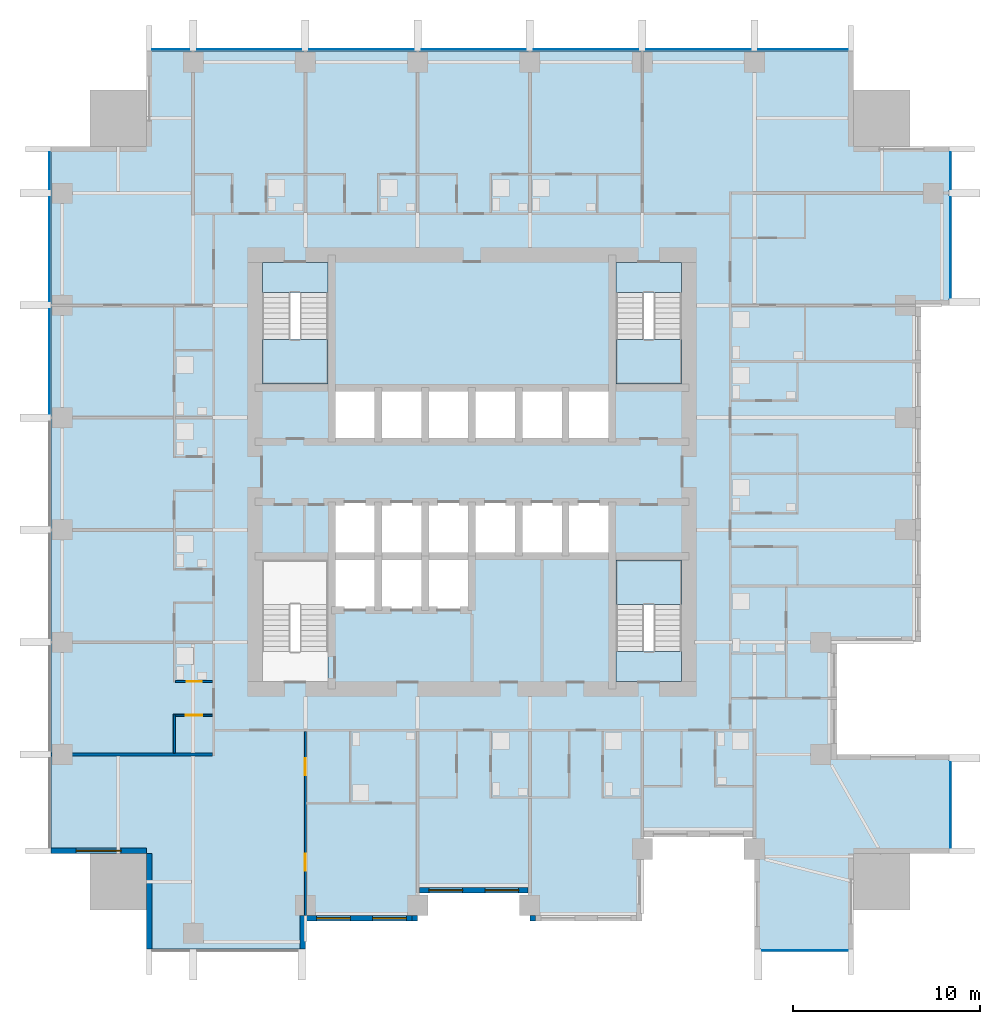
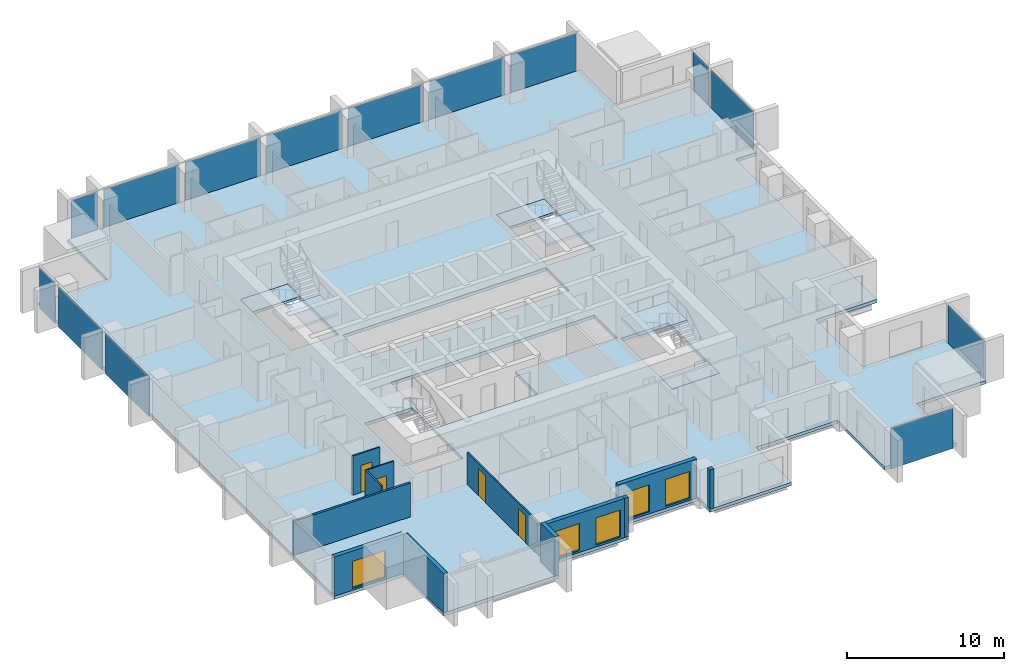
# One storey, part 3 of 11: 14 plates, 12 walls, 7 slabs, 5 windows, 4 doors, 9 openings, 8 elements without a shape of their own.
"""IFC4 building model written with IfcOpenShell, lengths in metres."""

import ifcopenshell
import ifcopenshell.guid

model = None  # the IFC model being written
_history = None  # IfcOwnerHistory: only IFC2X3 demands one
_inside = {}  # id of a spatial element -> (the spatial element, [elements in it])
_under = {}  # id of a project, library or spatial element -> (it, [spatial elements below it])
_declared = {}  # id of a project -> (the project, [libraries it declares])
_typed = {}  # id of a type object -> (the type object, [elements of that type])
_made_of = {}  # id of a material, layer set ... -> (it, [elements and type objects made of it])


def new_model(schema):
    """Start an empty IFC model of exactly this schema.

    Asked for "IFC4X3", IfcOpenShell would pick the latest addendum, in which some entities
    have other attributes; the version numbers below select the first issue.
    IFC2X3 requires an IfcOwnerHistory on every rooted entity: one is made here for all.
    """
    global model, _history
    if schema == "IFC4X3":
        model = ifcopenshell.file(schema_version=(4, 3, 0, 0))
    else:
        model = ifcopenshell.file(schema=schema)
    _inside.clear()
    _under.clear()
    _declared.clear()
    _typed.clear()
    _made_of.clear()
    _history = None
    if model.schema == "IFC2X3":
        org = make("IfcOrganization", Name="unknown")
        user = make(
            "IfcPersonAndOrganization",
            ThePerson=make("IfcPerson", FamilyName="unknown"),
            TheOrganization=org,
        )
        app = make(
            "IfcApplication",
            ApplicationDeveloper=org,
            Version="unknown",
            ApplicationFullName="unknown",
            ApplicationIdentifier="unknown",
        )
        _history = make(
            "IfcOwnerHistory",
            OwningUser=user,
            OwningApplication=app,
            ChangeAction="ADDED",
            CreationDate=0,
        )
    return model


def make(cls, **values):
    """One entity of the class cls with the attributes given. An attribute that is None is left unset."""
    return model.create_entity(
        cls, **{name: value for name, value in values.items() if value is not None}
    )


def rooted(cls, **values):
    """An entity with a GlobalId (a new one), such as an element, a storey or a relation."""
    return make(cls, GlobalId=ifcopenshell.guid.new(), OwnerHistory=_history, **values)


def si_unit(unit_type, name, prefix=None):
    """IfcSIUnit, for example si_unit("LENGTHUNIT", "METRE", prefix="MILLI")."""
    return make("IfcSIUnit", UnitType=unit_type, Prefix=prefix, Name=name)


def assignment(units):
    """IfcUnitAssignment: the units of a project."""
    return None if units is None else make("IfcUnitAssignment", Units=units)


def point(xyz):
    """IfcCartesianPoint."""
    return None if xyz is None else make("IfcCartesianPoint", Coordinates=xyz)


def direction(xyz):
    """IfcDirection."""
    return None if xyz is None else make("IfcDirection", DirectionRatios=xyz)


def frame(location, z_axis=None, x_axis=None):
    """IfcAxis2Placement3D, a coordinate frame: its origin and axes. An axis left out is left unset."""
    return make(
        "IfcAxis2Placement3D",
        Location=point(location),
        Axis=direction(z_axis),
        RefDirection=direction(x_axis),
    )


def frame_2d(location, x_axis=None):
    """IfcAxis2Placement2D, a coordinate frame in the plane: its origin and x axis."""
    return make(
        "IfcAxis2Placement2D", Location=point(location), RefDirection=direction(x_axis)
    )


def origin():
    """The frame at (0, 0, 0) with its axes left unset."""
    return frame((0.0, 0.0, 0.0))


def origin_2d():
    """The frame at (0, 0) in the plane with its x axis left unset."""
    return frame_2d((0.0, 0.0))


def place(relative_to, where):
    """IfcLocalPlacement: puts the frame where relative to a parent placement (None: the world)."""
    return make(
        "IfcLocalPlacement", PlacementRelTo=relative_to, RelativePlacement=where
    )


def context(
    kind, dimensions, precision=None, world=None, true_north=None, identifier=None
):
    """IfcGeometricRepresentationContext, for example the 3D "Model" context."""
    return make(
        "IfcGeometricRepresentationContext",
        ContextIdentifier=identifier,
        ContextType=kind,
        CoordinateSpaceDimension=dimensions,
        Precision=precision,
        WorldCoordinateSystem=world,
        TrueNorth=true_north,
    )


def subcontext(parent, identifier, kind, view, scale=None):
    """IfcGeometricRepresentationSubContext, for example "Body" below "Model"."""
    return make(
        "IfcGeometricRepresentationSubContext",
        ContextIdentifier=identifier,
        ContextType=kind,
        ParentContext=parent,
        TargetScale=scale,
        TargetView=view,
    )


def project(units=None, contexts=None):
    """IfcProject with its units and contexts."""
    return rooted(
        "IfcProject",
        Name="project",
        RepresentationContexts=contexts,
        UnitsInContext=assignment(units),
    )


def spatial(cls, under=None, at=None, **own):
    """A site, building, storey or space (cls), placed at a placement, below another one or the project."""
    s = rooted(cls, ObjectPlacement=at, **own)
    if under is not None:
        _under.setdefault(under.id(), (under, []))[1].append(s)
    return s


def polyline(points):
    """IfcPolyline through the points."""
    return make("IfcPolyline", Points=[point(p) for p in points])


def profile(cls, at=None, kind="AREA", **sizes):
    """A parametric profile (cls). Its sizes go by their IFC names, for example OverallWidth=200.0."""
    return make(cls, ProfileType=kind, Position=at, **sizes)


def rectangle(**sizes):
    """IfcRectangleProfileDef."""
    return profile("IfcRectangleProfileDef", **sizes)


def outline(outer, holes=None, kind="AREA"):
    """IfcArbitraryClosedProfileDef: a profile drawn as a closed curve; with holes, ...WithVoids."""
    if holes is None:
        return make("IfcArbitraryClosedProfileDef", ProfileType=kind, OuterCurve=outer)
    return make(
        "IfcArbitraryProfileDefWithVoids",
        ProfileType=kind,
        OuterCurve=outer,
        InnerCurves=holes,
    )


def extrude(swept, where, along, depth):
    """IfcExtrudedAreaSolid: the profile swept, set in the frame where, extruded along a direction by depth."""
    return make(
        "IfcExtrudedAreaSolid",
        SweptArea=swept,
        Position=where,
        ExtrudedDirection=direction(along),
        Depth=depth,
    )


def shape(context_of_items, identifier, shape_type, items):
    """IfcShapeRepresentation: the items that make up one representation, for example the "Body"."""
    return make(
        "IfcShapeRepresentation",
        ContextOfItems=context_of_items,
        RepresentationIdentifier=identifier,
        RepresentationType=shape_type,
        Items=items,
    )


def material(Name=None, Category=None):
    """IfcMaterial."""
    return make("IfcMaterial", Name=Name, Category=Category)


def layer(
    of_material, thickness, ventilated=None, Name=None, Category=None, Priority=None
):
    """IfcMaterialLayer: one layer of a wall or slab, of a material (None: an air gap)."""
    return make(
        "IfcMaterialLayer",
        Material=of_material,
        LayerThickness=thickness,
        IsVentilated=ventilated,
        Name=Name,
        Category=Category,
        Priority=Priority,
    )


def layer_set(layers, Name=None):
    """IfcMaterialLayerSet."""
    return make("IfcMaterialLayerSet", MaterialLayers=layers, LayerSetName=Name)


def made_of(thing, what):
    """Note that an element or type object is made of a material, layer set ...; save() writes the relation."""
    if what is not None:
        _made_of.setdefault(what.id(), (what, []))[1].append(thing)
    return thing


def type_object(cls, material=None, **own):
    """A type object (cls), such as IfcWallType, which elements share."""
    return made_of(rooted(cls, **own), material)


def element(
    cls,
    number,
    at=None,
    inside=None,
    cuts=None,
    type_object=None,
    material=None,
    context=None,
    identifier="Body",
    shape_type=None,
    held_by="IfcProductDefinitionShape",
    body=None,
    shapes=None,
    **own,
):
    """One element of the class cls, such as IfcWall. Its Tag is "e" and its number.

    at: its placement. inside: the storey or other place that contains it. cuts: it is an
    opening in that element (IfcRelVoidsElement). A single representation is given by context,
    identifier, shape_type and body (its items); several are given by shapes. held_by: the class
    of the entity that holds the representations. save() writes the other relations.
    """
    e = rooted(cls, Tag="e%d" % number, ObjectPlacement=at, **own)
    if body is not None:
        shapes = [shape(context, identifier, shape_type, body)]
    if shapes is not None:
        e.Representation = make(held_by, Representations=shapes)
    if inside is not None:
        _inside.setdefault(inside.id(), (inside, []))[1].append(e)
    if cuts is not None:
        rooted(
            "IfcRelVoidsElement", RelatingBuildingElement=cuts, RelatedOpeningElement=e
        )
    if type_object is not None:
        _typed.setdefault(type_object.id(), (type_object, []))[1].append(e)
    return made_of(e, material)


def fill(opening, filler):
    """IfcRelFillsElement: the door or window that sits in an opening."""
    return rooted(
        "IfcRelFillsElement",
        RelatingOpeningElement=opening,
        RelatedBuildingElement=filler,
    )


def aggregate(whole, parts):
    """IfcRelAggregates: a whole, such as a stair, and the parts it consists of."""
    return rooted("IfcRelAggregates", RelatingObject=whole, RelatedObjects=parts)


def save(model, path):
    """Write the relations noted so far, then the file.

    IfcRelAggregates (storeys below a building ...), IfcRelContainedInSpatialStructure (elements
    in a storey), IfcRelDefinesByType, IfcRelAssociatesMaterial and IfcRelDeclares: one each for
    every whole, place, type object, material and project.
    """
    for whole, parts in _under.values():
        aggregate(whole, parts)
    for where, things in _inside.values():
        rooted(
            "IfcRelContainedInSpatialStructure",
            RelatedElements=things,
            RelatingStructure=where,
        )
    for kind, things in _typed.values():
        rooted("IfcRelDefinesByType", RelatedObjects=things, RelatingType=kind)
    for what, things in _made_of.values():
        rooted("IfcRelAssociatesMaterial", RelatedObjects=things, RelatingMaterial=what)
    for by, libraries in _declared.values():
        rooted("IfcRelDeclares", RelatingContext=by, RelatedDefinitions=libraries)
    model.write(path)


model = new_model("IFC4")

# Units and contexts
model_context = context("Model", 3, precision=1e-05, world=origin(), true_north=direction((0.0, 1.0)))
body_context = subcontext(model_context, "Body", "Model", "MODEL_VIEW")
ifc_project = project(units=[si_unit("LENGTHUNIT", "METRE"), si_unit("AREAUNIT", "SQUARE_METRE"), si_unit("VOLUMEUNIT", "CUBIC_METRE"), si_unit("PLANEANGLEUNIT", "RADIAN"), si_unit("MASSUNIT", "GRAM", prefix="KILO")], contexts=[model_context])

# Site, building, storey
site_placement = place(None, origin())
site = spatial("IfcSite", under=ifc_project, at=site_placement, CompositionType="ELEMENT")
building_placement = place(site_placement, origin())
building = spatial("IfcBuilding", under=site, at=building_placement, Name="Amberfall Residences", CompositionType="ELEMENT")
storey_placement = place(building_placement, frame((0.0, 0.0, 91.89990234375)))
storey = spatial("IfcBuildingStorey", under=building, at=storey_placement, Name="L24", CompositionType="ELEMENT", Elevation=91.89990234375)

# Curtain wall, plate
ifc_material_1 = material(Name="Bronze anodised aluminium and glass", Category="aluminium")
curtain_wall_type = type_object("IfcCurtainWallType", Name="Curtain wall CW1 tower unit", PredefinedType="USERDEFINED", material=ifc_material_1)
curtain_wall_1_placement = place(storey_placement, origin())
curtain_wall_1 = element("IfcCurtainWall", 1, at=curtain_wall_1_placement, inside=storey, type_object=curtain_wall_type, Name="Curtain wall L24 S S11", ObjectType="UNITISED CURTAIN WALL", PredefinedType="USERDEFINED")
ifc_material_2 = material(Name="Tinted double glazed unit", Category="glass")
ifc_layer_1 = layer(ifc_material_2, 0.035888671875)
ifc_layer_set_1 = layer_set([ifc_layer_1], Name="CW1 panel 36 glazing")
plate_type = type_object("IfcPlateType", Name="CW1 panel 36 glazing", PredefinedType="CURTAIN_PANEL", material=ifc_layer_set_1)
plate_1_placement = place(storey_placement, frame((92.300048828125, 19.925048828125, -0.249755859375), z_axis=(0.0, 0.0, 1.0), x_axis=(1.0, 0.0, 0.0)))
plate_1 = element("IfcPlate", 2, at=plate_1_placement, type_object=plate_type, Name="CW1 panel 1.1", PredefinedType="CURTAIN_PANEL", context=body_context, shape_type="SweptSolid", body=[
    extrude(rectangle(XDim=4.575927734375, YDim=0.035888671875, at=origin_2d()), origin(), (0.0, 0.0, 1.0), 3.14990234375),
])
aggregate(curtain_wall_1, [plate_1])

curtain_wall_2_placement = place(storey_placement, origin())
curtain_wall_2 = element("IfcCurtainWall", 3, at=curtain_wall_2_placement, inside=storey, type_object=curtain_wall_type, Name="Curtain wall L24 E E1", ObjectType="UNITISED CURTAIN WALL", PredefinedType="USERDEFINED")
plate_2_placement = place(storey_placement, frame((100.074951171875, 27.699951171875, -0.249755859375), z_axis=(0.0, 0.0, 1.0), x_axis=(0.0, 1.0, 0.0)))
plate_2 = element("IfcPlate", 4, at=plate_2_placement, type_object=plate_type, Name="CW1 panel 1.1", PredefinedType="CURTAIN_PANEL", context=body_context, shape_type="SweptSolid", body=[
    extrude(rectangle(XDim=4.575927734375, YDim=0.035888671875, at=origin_2d()), origin(), (0.0, 0.0, 1.0), 3.14990234375),
])
aggregate(curtain_wall_2, [plate_2])

# Curtain wall, plates
curtain_wall_3_placement = place(storey_placement, origin())
curtain_wall_3 = element("IfcCurtainWall", 5, at=curtain_wall_3_placement, inside=storey, type_object=curtain_wall_type, Name="Curtain wall L24 E E9", ObjectType="UNITISED CURTAIN WALL", PredefinedType="USERDEFINED")
plate_3_placement = place(storey_placement, frame((100.074951171875, 57.5, -0.249755859375), z_axis=(0.0, 0.0, 1.0), x_axis=(0.0, 1.0, 0.0)))
plate_3 = element("IfcPlate", 6, at=plate_3_placement, type_object=plate_type, Name="CW1 panel 1.1", PredefinedType="CURTAIN_PANEL", context=body_context, shape_type="SweptSolid", body=[
    extrude(rectangle(XDim=5.3759765625, YDim=0.035888671875, at=origin_2d()), origin(), (0.0, 0.0, 1.0), 3.14990234375),
])
plate_4_placement = place(storey_placement, frame((100.074951171875, 61.60009765625, -0.249755859375), z_axis=(0.0, 0.0, 1.0), x_axis=(0.0, 1.0, 0.0)))
plate_4 = element("IfcPlate", 7, at=plate_4_placement, type_object=plate_type, Name="CW1 panel 2.1", PredefinedType="CURTAIN_PANEL", context=body_context, shape_type="SweptSolid", body=[
    extrude(rectangle(XDim=1.97607421875, YDim=0.035888671875, at=origin_2d()), origin(), (0.0, 0.0, 1.0), 3.14990234375),
])
aggregate(curtain_wall_3, [plate_3, plate_4])

curtain_wall_4_placement = place(storey_placement, origin())
curtain_wall_4 = element("IfcCurtainWall", 8, at=curtain_wall_4_placement, inside=storey, type_object=curtain_wall_type, Name="Curtain wall L24 N N1", ObjectType="UNITISED CURTAIN WALL", PredefinedType="USERDEFINED")
plate_5_placement = place(storey_placement, frame((92.199951171875, 68.074951171875, -0.249755859375), z_axis=(0.0, 0.0, 1.0), x_axis=(-1.0, 0.0, 0.0)))
plate_5 = element("IfcPlate", 9, at=plate_5_placement, type_object=plate_type, Name="CW1 panel 1.1", PredefinedType="CURTAIN_PANEL", context=body_context, shape_type="SweptSolid", body=[
    extrude(rectangle(XDim=4.77587890625, YDim=0.035888671875, at=origin_2d()), origin(), (0.0, 0.0, 1.0), 3.14990234375),
])
plate_6_placement = place(storey_placement, frame((86.60009765625, 68.074951171875, -0.249755859375), z_axis=(0.0, 0.0, 1.0), x_axis=(-1.0, 0.0, 0.0)))
plate_6 = element("IfcPlate", 10, at=plate_6_placement, type_object=plate_type, Name="CW1 panel 2.1", PredefinedType="CURTAIN_PANEL", context=body_context, shape_type="SweptSolid", body=[
    extrude(rectangle(XDim=5.575927734375, YDim=0.035888671875, at=origin_2d()), origin(), (0.0, 0.0, 1.0), 3.14990234375),
])
plate_7_placement = place(storey_placement, frame((80.60009765625, 68.074951171875, -0.249755859375), z_axis=(0.0, 0.0, 1.0), x_axis=(-1.0, 0.0, 0.0)))
plate_7 = element("IfcPlate", 11, at=plate_7_placement, type_object=plate_type, Name="CW1 panel 3.1", PredefinedType="CURTAIN_PANEL", context=body_context, shape_type="SweptSolid", body=[
    extrude(rectangle(XDim=5.575927734375, YDim=0.035888671875, at=origin_2d()), origin(), (0.0, 0.0, 1.0), 3.14990234375),
])
plate_8_placement = place(storey_placement, frame((74.60009765625, 68.074951171875, -0.249755859375), z_axis=(0.0, 0.0, 1.0), x_axis=(-1.0, 0.0, 0.0)))
plate_8 = element("IfcPlate", 12, at=plate_8_placement, type_object=plate_type, Name="CW1 panel 4.1", PredefinedType="CURTAIN_PANEL", context=body_context, shape_type="SweptSolid", body=[
    extrude(rectangle(XDim=5.575927734375, YDim=0.035888671875, at=origin_2d()), origin(), (0.0, 0.0, 1.0), 3.14990234375),
])
plate_9_placement = place(storey_placement, frame((68.60009765625, 68.074951171875, -0.249755859375), z_axis=(0.0, 0.0, 1.0), x_axis=(-1.0, 0.0, 0.0)))
plate_9 = element("IfcPlate", 13, at=plate_9_placement, type_object=plate_type, Name="CW1 panel 5.1", PredefinedType="CURTAIN_PANEL", context=body_context, shape_type="SweptSolid", body=[
    extrude(rectangle(XDim=5.575927734375, YDim=0.035888671875, at=origin_2d()), origin(), (0.0, 0.0, 1.0), 3.14990234375),
])
plate_10_placement = place(storey_placement, frame((62.60009765625, 68.074951171875, -0.249755859375), z_axis=(0.0, 0.0, 1.0), x_axis=(-1.0, 0.0, 0.0)))
plate_10 = element("IfcPlate", 14, at=plate_10_placement, type_object=plate_type, Name="CW1 panel 6.1", PredefinedType="CURTAIN_PANEL", context=body_context, shape_type="SweptSolid", body=[
    extrude(rectangle(XDim=5.575927734375, YDim=0.035888671875, at=origin_2d()), origin(), (0.0, 0.0, 1.0), 3.14990234375),
])
plate_11_placement = place(storey_placement, frame((58.39990234375, 68.074951171875, -0.249755859375), z_axis=(0.0, 0.0, 1.0), x_axis=(-1.0, 0.0, 0.0)))
plate_11 = element("IfcPlate", 15, at=plate_11_placement, type_object=plate_type, Name="CW1 panel 7.1", PredefinedType="CURTAIN_PANEL", context=body_context, shape_type="SweptSolid", body=[
    extrude(rectangle(XDim=1.97607421875, YDim=0.035888671875, at=origin_2d()), origin(), (0.0, 0.0, 1.0), 3.14990234375),
])
aggregate(curtain_wall_4, [plate_5, plate_6, plate_7, plate_8, plate_9, plate_10, plate_11])

curtain_wall_5_placement = place(storey_placement, origin())
curtain_wall_5 = element("IfcCurtainWall", 16, at=curtain_wall_5_placement, inside=storey, type_object=curtain_wall_type, Name="Curtain wall L24 W W1", ObjectType="UNITISED CURTAIN WALL", PredefinedType="USERDEFINED")
plate_12_placement = place(storey_placement, frame((51.925048828125, 61.60009765625, -0.249755859375), z_axis=(0.0, 0.0, 1.0), x_axis=(0.0, -1.0, 0.0)))
plate_12 = element("IfcPlate", 17, at=plate_12_placement, type_object=plate_type, Name="CW1 panel 1.1", PredefinedType="CURTAIN_PANEL", context=body_context, shape_type="SweptSolid", body=[
    extrude(rectangle(XDim=1.97607421875, YDim=0.035888671875, at=origin_2d()), origin(), (0.0, 0.0, 1.0), 3.14990234375),
])
plate_13_placement = place(storey_placement, frame((51.925048828125, 57.39990234375, -0.249755859375), z_axis=(0.0, 0.0, 1.0), x_axis=(0.0, -1.0, 0.0)))
plate_13 = element("IfcPlate", 18, at=plate_13_placement, type_object=plate_type, Name="CW1 panel 2.1", PredefinedType="CURTAIN_PANEL", context=body_context, shape_type="SweptSolid", body=[
    extrude(rectangle(XDim=5.575927734375, YDim=0.035888671875, at=origin_2d()), origin(), (0.0, 0.0, 1.0), 3.14990234375),
])
plate_14_placement = place(storey_placement, frame((51.925048828125, 51.39990234375, -0.249755859375), z_axis=(0.0, 0.0, 1.0), x_axis=(0.0, -1.0, 0.0)))
plate_14 = element("IfcPlate", 19, at=plate_14_placement, type_object=plate_type, Name="CW1 panel 3.1", PredefinedType="CURTAIN_PANEL", context=body_context, shape_type="SweptSolid", body=[
    extrude(rectangle(XDim=5.575927734375, YDim=0.035888671875, at=origin_2d()), origin(), (0.0, 0.0, 1.0), 3.14990234375),
])
aggregate(curtain_wall_5, [plate_12, plate_13, plate_14])

# Slab
ifc_material_3 = material(Name="Concrete C70", Category="concrete")
ifc_layer_2 = layer(ifc_material_3, 0.25)
ifc_layer_set_2 = layer_set([ifc_layer_2], Name="Floor slab 250 C70")
slab_type_1 = type_object("IfcSlabType", Name="Floor slab 250 C70", PredefinedType="FLOOR", material=ifc_layer_set_2)
slab_1_placement = place(storey_placement, frame((0.0, 0.0, -0.25)))
element("IfcSlab", 20, at=slab_1_placement, inside=storey, type_object=slab_type_1, Name="Floor slab S7 L24", PredefinedType="FLOOR", context=body_context, shape_type="SweptSolid", body=[
    extrude(outline(polyline([(89.60009765625, 20.0), (89.60009765625, 26.0), (83.60009765625, 26.0), (83.60009765625, 21.5), (77.60009765625, 21.5), (77.60009765625, 23.0), (71.60009765625, 23.0), (71.60009765625, 21.5), (65.60009765625, 21.5), (65.60009765625, 20.0), (57.10009765625, 20.0), (57.10009765625, 25.10009765625), (52.0, 25.10009765625), (52.0, 62.89990234375), (57.10009765625, 62.89990234375), (57.10009765625, 68.0), (94.89990234375, 68.0), (94.89990234375, 62.89990234375), (100.0, 62.89990234375), (100.0, 54.39990234375), (98.5, 54.39990234375), (98.5, 48.39990234375), (98.5, 42.39990234375), (98.5, 36.39990234375), (94.0, 36.39990234375), (94.0, 30.39990234375), (100.0, 30.39990234375), (100.0, 25.10009765625), (94.89990234375, 25.10009765625), (94.89990234375, 20.0), (89.60009765625, 20.0)]), holes=[polyline([(85.699951171875, 34.300048828125), (85.699951171875, 40.800048828125), (82.199951171875, 40.800048828125), (82.199951171875, 34.300048828125), (85.699951171875, 34.300048828125)]), polyline([(82.199951171875, 50.199951171875), (85.699951171875, 50.199951171875), (85.699951171875, 56.699951171875), (82.199951171875, 56.699951171875), (82.199951171875, 50.199951171875)]), polyline([(69.5, 50.0), (67.0, 50.0), (67.0, 47.10009765625), (69.5, 47.10009765625), (72.0, 47.10009765625), (74.5, 47.10009765625), (77.0, 47.10009765625), (79.5, 47.10009765625), (82.0, 47.10009765625), (82.0, 50.0), (79.5, 50.0), (77.0, 50.0), (74.5, 50.0), (72.0, 50.0), (69.5, 50.0)]), polyline([(74.5, 41.0), (77.0, 41.0), (79.5, 41.0), (82.0, 41.0), (82.0, 43.89990234375), (79.5, 43.89990234375), (77.0, 43.89990234375), (74.5, 43.89990234375), (72.0, 43.89990234375), (69.5, 43.89990234375), (67.0, 43.89990234375), (67.0, 41.0), (67.0, 38.10009765625), (69.5, 38.10009765625), (72.0, 38.10009765625), (74.5, 38.10009765625), (74.5, 41.0)]), polyline([(66.800048828125, 34.300048828125), (66.800048828125, 40.800048828125), (63.300048828125, 40.800048828125), (63.300048828125, 34.300048828125), (66.800048828125, 34.300048828125)]), polyline([(66.800048828125, 50.199951171875), (66.800048828125, 56.699951171875), (63.300048828125, 56.699951171875), (63.300048828125, 50.199951171875), (66.800048828125, 50.199951171875)])]), origin(), (0.0, 0.0, 1.0), 0.25),
])

# Stair, slabs
ifc_material_4 = material(Name="Concrete C40", Category="concrete")
stair_type = type_object("IfcStairType", Name="Exit stair 20 risers 165.0 mm", PredefinedType="HALF_TURN_STAIR", material=ifc_material_4)
stair_1_placement = place(storey_placement, origin())
stair_1 = element("IfcStair", 21, at=stair_1_placement, inside=storey, type_object=stair_type, Name="L24 Exit stair 2", PredefinedType="HALF_TURN_STAIR")
ifc_layer_3 = layer(ifc_material_4, 0.199951171875)
ifc_layer_set_3 = layer_set([ifc_layer_3], Name="Stair landing 200")
slab_type_2 = type_object("IfcSlabType", Name="Stair landing 200", PredefinedType="LANDING", material=ifc_layer_set_3)
slab_2_placement = place(storey_placement, frame((0.0, 0.0, 1.4501953125)))
slab_2 = element("IfcSlab", 22, at=slab_2_placement, type_object=slab_type_2, Name="ST3 landing 1", PredefinedType="LANDING", context=body_context, shape_type="SweptSolid", body=[
    extrude(outline(polyline([(85.699951171875, 38.419921875), (85.699951171875, 40.800048828125), (82.199951171875, 40.800048828125), (82.199951171875, 38.419921875), (85.699951171875, 38.419921875)])), origin(), (0.0, 0.0, 1.0), 0.199951171875),
])
slab_3_placement = place(storey_placement, frame((0.0, 0.0, -0.199951171875)))
slab_3 = element("IfcSlab", 23, at=slab_3_placement, type_object=slab_type_2, Name="ST3 landing 2", PredefinedType="LANDING", context=body_context, shape_type="SweptSolid", body=[
    extrude(outline(polyline([(85.699951171875, 34.300048828125), (85.699951171875, 35.89990234375), (82.199951171875, 35.89990234375), (82.199951171875, 34.300048828125), (85.699951171875, 34.300048828125)])), origin(), (0.0, 0.0, 1.0), 0.199951171875),
])
aggregate(stair_1, [slab_2, slab_3])

stair_2_placement = place(storey_placement, origin())
stair_2 = element("IfcStair", 24, at=stair_2_placement, inside=storey, type_object=stair_type, Name="L24 Exit stair 3", PredefinedType="HALF_TURN_STAIR")
slab_4_placement = place(storey_placement, frame((0.0, 0.0, 1.4501953125)))
slab_4 = element("IfcSlab", 25, at=slab_4_placement, type_object=slab_type_2, Name="ST3 landing 1", PredefinedType="LANDING", context=body_context, shape_type="SweptSolid", body=[
    extrude(outline(polyline([(82.199951171875, 52.580078125), (82.199951171875, 50.199951171875), (85.699951171875, 50.199951171875), (85.699951171875, 52.580078125), (82.199951171875, 52.580078125)])), origin(), (0.0, 0.0, 1.0), 0.199951171875),
])
slab_5_placement = place(storey_placement, frame((0.0, 0.0, -0.199951171875)))
slab_5 = element("IfcSlab", 26, at=slab_5_placement, type_object=slab_type_2, Name="ST3 landing 2", PredefinedType="LANDING", context=body_context, shape_type="SweptSolid", body=[
    extrude(outline(polyline([(82.199951171875, 56.699951171875), (82.199951171875, 55.10009765625), (85.699951171875, 55.10009765625), (85.699951171875, 56.699951171875), (82.199951171875, 56.699951171875)])), origin(), (0.0, 0.0, 1.0), 0.199951171875),
])
aggregate(stair_2, [slab_4, slab_5])

stair_3_placement = place(storey_placement, origin())
stair_3 = element("IfcStair", 27, at=stair_3_placement, inside=storey, type_object=stair_type, Name="L24 Exit stair 4", PredefinedType="HALF_TURN_STAIR")
slab_6_placement = place(storey_placement, frame((0.0, 0.0, 1.4501953125)))
slab_6 = element("IfcSlab", 28, at=slab_6_placement, type_object=slab_type_2, Name="ST3 landing 1", PredefinedType="LANDING", context=body_context, shape_type="SweptSolid", body=[
    extrude(outline(polyline([(63.300048828125, 52.580078125), (63.300048828125, 50.199951171875), (66.800048828125, 50.199951171875), (66.800048828125, 52.580078125), (63.300048828125, 52.580078125)])), origin(), (0.0, 0.0, 1.0), 0.199951171875),
])
slab_7_placement = place(storey_placement, frame((0.0, 0.0, -0.199951171875)))
slab_7 = element("IfcSlab", 29, at=slab_7_placement, type_object=slab_type_2, Name="ST3 landing 2", PredefinedType="LANDING", context=body_context, shape_type="SweptSolid", body=[
    extrude(outline(polyline([(63.300048828125, 56.699951171875), (63.300048828125, 55.10009765625), (66.800048828125, 55.10009765625), (66.800048828125, 56.699951171875), (63.300048828125, 56.699951171875)])), origin(), (0.0, 0.0, 1.0), 0.199951171875),
])
aggregate(stair_3, [slab_6, slab_7])

# Walls
ifc_material_5 = material(Name="Pale stone cladding on insulated backing", Category="masonry")
ifc_layer_4 = layer(ifc_material_5, 0.300048828125)
ifc_layer_set_4 = layer_set([ifc_layer_4], Name="Bronze clad wall 300")
wall_type_1 = type_object("IfcWallType", Name="Bronze clad wall 300", PredefinedType="SOLIDWALL", material=ifc_layer_set_4)
wall_1_placement = place(storey_placement, frame((65.449951171875, 20.0, 0.0), z_axis=(0.0, 0.0, 1.0), x_axis=(0.0, 1.0, 0.0)))
element("IfcWall", 30, at=wall_1_placement, inside=storey, type_object=wall_type_1, Name="External wall L24 S", PredefinedType="SOLIDWALL", context=body_context, shape_type="SweptSolid", body=[
    extrude(rectangle(XDim=1.800048828125, YDim=0.300048828125, at=frame_2d((0.89990234375, 0.0))), origin(), (0.0, 0.0, 1.0), 3.050048828125),
])
for number, where, z_axis, x_axis, name in (
    (31, (71.449951171875, 21.5, 0.0), (0.0, 0.0, 1.0), (0.0, 1.0, 0.0), "External wall L24 S"),
    (32, (77.75, 21.800048828125, 0.0), (0.0, 0.0, 1.0), (0.0, -1.0, 0.0), "External wall L24 S"),
):
    element("IfcWall", number, at=place(storey_placement, frame(where, z_axis=z_axis, x_axis=x_axis)), inside=storey, type_object=wall_type_1, Name=name, PredefinedType="SOLIDWALL", context=body_context, shape_type="SweptSolid", body=[
        extrude(rectangle(XDim=0.300048828125, YDim=0.300048828125, at=frame_2d((0.14990234375, 0.0))), origin(), (0.0, 0.0, 1.0), 3.050048828125),
    ])

# Wall, opening, window
wall_2_placement = place(storey_placement, frame((52.0, 25.25, 0.0), z_axis=(0.0, 0.0, 1.0), x_axis=(1.0, 0.0, 0.0)))
wall_2 = element("IfcWall", 33, at=wall_2_placement, inside=storey, type_object=wall_type_1, Name="External wall L24 SW", PredefinedType="SOLIDWALL", context=body_context, shape_type="SweptSolid", body=[
    extrude(rectangle(XDim=5.10009765625, YDim=0.300048828125, at=frame_2d((2.550048828125, 0.0))), origin(), (0.0, 0.0, 1.0), 3.050048828125),
])
opening_1_placement = place(wall_2_placement, frame((1.35009765625, 0.0, 0.14990234375)))
opening_1 = element("IfcOpeningElement", 34, at=opening_1_placement, cuts=wall_2, Name="Opening WN5", PredefinedType="OPENING", context=body_context, shape_type="SweptSolid", body=[
    extrude(rectangle(XDim=2.39990234375, YDim=2.10009765625, at=frame_2d((1.199951171875, 1.050048828125))), frame((0.0, 0.159912109375, 0.0), z_axis=(0.0, -1.0, 0.0), x_axis=(1.0, 0.0, 0.0)), (0.0, 0.0, 1.0), 0.320068359375),
])
ifc_material_6 = material(Name="Bronze aluminium framed glazing", Category="aluminium")
window_type_1 = type_object("IfcWindowType", Name="Glazed opening 2400 x 2100 bronze", PartitioningType="DOUBLE_PANEL_VERTICAL", PredefinedType="WINDOW", material=ifc_material_6)
window_1_placement = place(opening_1_placement, origin())
window_1 = element("IfcWindow", 35, at=window_1_placement, inside=storey, type_object=window_type_1, Name="Window L24 SW", OverallHeight=2.10009765625, OverallWidth=2.39990234375, PartitioningType="DOUBLE_PANEL_VERTICAL", PredefinedType="WINDOW", context=body_context, shape_type="SweptSolid", body=[
    extrude(rectangle(XDim=2.39990234375, YDim=2.10009765625, at=frame_2d((1.199951171875, 1.050048828125))), frame((0.0, 0.030029296875, 0.0), z_axis=(0.0, -1.0, 0.0), x_axis=(1.0, 0.0, 0.0)), (0.0, 0.0, 1.0), 0.06005859375),
])
fill(opening_1, window_1)

# Wall
wall_3_placement = place(storey_placement, frame((57.25, 25.10009765625, 0.0), z_axis=(0.0, 0.0, 1.0), x_axis=(0.0, -1.0, 0.0)))
element("IfcWall", 36, at=wall_3_placement, inside=storey, type_object=wall_type_1, Name="External wall L24 SW", PredefinedType="SOLIDWALL", context=body_context, shape_type="SweptSolid", body=[
    extrude(rectangle(XDim=5.10009765625, YDim=0.300048828125, at=frame_2d((2.550048828125, 0.0))), origin(), (0.0, 0.0, 1.0), 3.050048828125),
])

# Wall, openings, windows
wall_4_placement = place(storey_placement, frame((65.60009765625, 21.64990234375, 0.0), z_axis=(0.0, 0.0, 1.0), x_axis=(1.0, 0.0, 0.0)))
wall_4 = element("IfcWall", 37, at=wall_4_placement, inside=storey, type_object=wall_type_1, Name="Stone wall L24 S", PredefinedType="SOLIDWALL", context=body_context, shape_type="SweptSolid", body=[
    extrude(rectangle(XDim=5.699951171875, YDim=0.300048828125, at=frame_2d((2.85009765625, 0.0))), origin(), (0.0, 0.0, 1.0), 3.050048828125),
])
opening_2_placement = place(wall_4_placement, frame((0.60009765625, 0.0, 0.14990234375)))
opening_2 = element("IfcOpeningElement", 38, at=opening_2_placement, cuts=wall_4, Name="Opening WN6", PredefinedType="OPENING", context=body_context, shape_type="SweptSolid", body=[
    extrude(rectangle(XDim=1.800048828125, YDim=2.10009765625, at=frame_2d((0.89990234375, 1.050048828125))), frame((0.0, 0.159912109375, 0.0), z_axis=(0.0, -1.0, 0.0), x_axis=(1.0, 0.0, 0.0)), (0.0, 0.0, 1.0), 0.320068359375),
])
opening_3_placement = place(wall_4_placement, frame((3.60009765625, 0.0, 0.14990234375)))
opening_3 = element("IfcOpeningElement", 39, at=opening_3_placement, cuts=wall_4, Name="Opening WN6", PredefinedType="OPENING", context=body_context, shape_type="SweptSolid", body=[
    extrude(rectangle(XDim=1.800048828125, YDim=2.10009765625, at=frame_2d((0.89990234375, 1.050048828125))), frame((0.0, 0.159912109375, 0.0), z_axis=(0.0, -1.0, 0.0), x_axis=(1.0, 0.0, 0.0)), (0.0, 0.0, 1.0), 0.320068359375),
])
window_type_2 = type_object("IfcWindowType", Name="Glazed opening 1800 x 2100 bronze", PartitioningType="DOUBLE_PANEL_VERTICAL", PredefinedType="WINDOW", material=ifc_material_6)
window_2_placement = place(opening_2_placement, origin())
window_2 = element("IfcWindow", 40, at=window_2_placement, inside=storey, type_object=window_type_2, Name="Window L24 S", OverallHeight=2.10009765625, OverallWidth=1.800048828125, PartitioningType="DOUBLE_PANEL_VERTICAL", PredefinedType="WINDOW", context=body_context, shape_type="SweptSolid", body=[
    extrude(rectangle(XDim=1.800048828125, YDim=2.10009765625, at=frame_2d((0.89990234375, 1.050048828125))), frame((0.0, 0.030029296875, 0.0), z_axis=(0.0, -1.0, 0.0), x_axis=(1.0, 0.0, 0.0)), (0.0, 0.0, 1.0), 0.06005859375),
])
fill(opening_2, window_2)
window_3_placement = place(opening_3_placement, origin())
window_3 = element("IfcWindow", 41, at=window_3_placement, inside=storey, type_object=window_type_2, Name="Window L24 S", OverallHeight=2.10009765625, OverallWidth=1.800048828125, PartitioningType="DOUBLE_PANEL_VERTICAL", PredefinedType="WINDOW", context=body_context, shape_type="SweptSolid", body=[
    extrude(rectangle(XDim=1.800048828125, YDim=2.10009765625, at=frame_2d((0.89990234375, 1.050048828125))), frame((0.0, 0.030029296875, 0.0), z_axis=(0.0, -1.0, 0.0), x_axis=(1.0, 0.0, 0.0)), (0.0, 0.0, 1.0), 0.06005859375),
])
fill(opening_3, window_3)

wall_5_placement = place(storey_placement, frame((71.7099609375, 23.14990234375, 0.0), z_axis=(0.0, 0.0, 1.0), x_axis=(1.0, 0.0, 0.0)))
wall_5 = element("IfcWall", 42, at=wall_5_placement, inside=storey, type_object=wall_type_1, Name="Stone wall L24 S", PredefinedType="SOLIDWALL", context=body_context, shape_type="SweptSolid", body=[
    extrude(rectangle(XDim=5.780029296875, YDim=0.300048828125, at=frame_2d((2.89013671875, 0.0))), origin(), (0.0, 0.0, 1.0), 3.050048828125),
])
opening_4_placement = place(wall_5_placement, frame((0.489990234375, 0.0, 0.14990234375)))
opening_4 = element("IfcOpeningElement", 43, at=opening_4_placement, cuts=wall_5, Name="Opening WN6", PredefinedType="OPENING", context=body_context, shape_type="SweptSolid", body=[
    extrude(rectangle(XDim=1.800048828125, YDim=2.10009765625, at=frame_2d((0.89990234375, 1.050048828125))), frame((0.0, 0.159912109375, 0.0), z_axis=(0.0, -1.0, 0.0), x_axis=(1.0, 0.0, 0.0)), (0.0, 0.0, 1.0), 0.320068359375),
])
opening_5_placement = place(wall_5_placement, frame((3.489990234375, 0.0, 0.14990234375)))
opening_5 = element("IfcOpeningElement", 44, at=opening_5_placement, cuts=wall_5, Name="Opening WN6", PredefinedType="OPENING", context=body_context, shape_type="SweptSolid", body=[
    extrude(rectangle(XDim=1.800048828125, YDim=2.10009765625, at=frame_2d((0.89990234375, 1.050048828125))), frame((0.0, 0.159912109375, 0.0), z_axis=(0.0, -1.0, 0.0), x_axis=(1.0, 0.0, 0.0)), (0.0, 0.0, 1.0), 0.320068359375),
])
window_4_placement = place(opening_4_placement, origin())
window_4 = element("IfcWindow", 45, at=window_4_placement, inside=storey, type_object=window_type_2, Name="Window L24 S", OverallHeight=2.10009765625, OverallWidth=1.800048828125, PartitioningType="DOUBLE_PANEL_VERTICAL", PredefinedType="WINDOW", context=body_context, shape_type="SweptSolid", body=[
    extrude(rectangle(XDim=1.800048828125, YDim=2.10009765625, at=frame_2d((0.89990234375, 1.050048828125))), frame((0.0, 0.030029296875, 0.0), z_axis=(0.0, -1.0, 0.0), x_axis=(1.0, 0.0, 0.0)), (0.0, 0.0, 1.0), 0.06005859375),
])
fill(opening_4, window_4)
window_5_placement = place(opening_5_placement, origin())
window_5 = element("IfcWindow", 46, at=window_5_placement, inside=storey, type_object=window_type_2, Name="Window L24 S", OverallHeight=2.10009765625, OverallWidth=1.800048828125, PartitioningType="DOUBLE_PANEL_VERTICAL", PredefinedType="WINDOW", context=body_context, shape_type="SweptSolid", body=[
    extrude(rectangle(XDim=1.800048828125, YDim=2.10009765625, at=frame_2d((0.89990234375, 1.050048828125))), frame((0.0, 0.030029296875, 0.0), z_axis=(0.0, -1.0, 0.0), x_axis=(1.0, 0.0, 0.0)), (0.0, 0.0, 1.0), 0.06005859375),
])
fill(opening_5, window_5)

# Wall
ifc_material_7 = material(Name="Gypsum board on metal stud")
ifc_layer_5 = layer(ifc_material_7, 0.10009765625)
ifc_layer_set_5 = layer_set([ifc_layer_5], Name="Flat partition 100")
wall_type_2 = type_object("IfcWallType", Name="Flat partition 100", PredefinedType="PARTITIONING", material=ifc_layer_set_5)
wall_6_placement = place(storey_placement, frame((58.60009765625, 30.47509765625, 0.0), z_axis=(0.0, 0.0, 1.0), x_axis=(0.0, 1.0, 0.0)))
element("IfcWall", 47, at=wall_6_placement, inside=storey, type_object=wall_type_2, Name="Partition 001", PredefinedType="PARTITIONING", context=body_context, shape_type="SweptSolid", body=[
    extrude(rectangle(XDim=2.074951171875, YDim=0.10009765625, at=frame_2d((1.03759765625, 0.0))), origin(), (0.0, 0.0, 1.0), 3.050048828125),
])

# Wall, openings, doors
wall_7_placement = place(storey_placement, frame((65.60009765625, 31.625, 0.0), z_axis=(0.0, 0.0, 1.0), x_axis=(0.0, -1.0, 0.0)))
wall_7 = element("IfcWall", 48, at=wall_7_placement, inside=storey, type_object=wall_type_2, Name="Partition 007", PredefinedType="PARTITIONING", context=body_context, shape_type="SweptSolid", body=[
    extrude(rectangle(XDim=10.125, YDim=0.10009765625, at=frame_2d((5.0625, 0.0))), origin(), (0.0, 0.0, 1.0), 2.51611328125),
])
opening_6_placement = place(wall_7_placement, frame((1.425048828125, 0.0, 0.0)))
opening_6 = element("IfcOpeningElement", 49, at=opening_6_placement, cuts=wall_7, Name="Opening D41", PredefinedType="OPENING", context=body_context, shape_type="SweptSolid", body=[
    extrude(rectangle(XDim=0.89990234375, YDim=2.10009765625, at=frame_2d((0.449951171875, 1.050048828125))), frame((0.0, 0.06005859375, 0.0), z_axis=(0.0, -1.0, 0.0), x_axis=(1.0, 0.0, 0.0)), (0.0, 0.0, 1.0), 0.1201171875),
])
opening_7_placement = place(wall_7_placement, frame((6.52490234375, 0.0, 0.0)))
opening_7 = element("IfcOpeningElement", 50, at=opening_7_placement, cuts=wall_7, Name="Opening D41", PredefinedType="OPENING", context=body_context, shape_type="SweptSolid", body=[
    extrude(rectangle(XDim=0.89990234375, YDim=2.10009765625, at=frame_2d((0.449951171875, 1.050048828125))), frame((0.0, 0.06005859375, 0.0), z_axis=(0.0, -1.0, 0.0), x_axis=(1.0, 0.0, 0.0)), (0.0, 0.0, 1.0), 0.1201171875),
])
ifc_material_8 = material(Name="Timber", Category="wood")
door_type_1 = type_object("IfcDoorType", Name="Internal door 900 x 2100", OperationType="SINGLE_SWING_LEFT", PredefinedType="DOOR", material=ifc_material_8)
door_1_placement = place(opening_6_placement, origin())
door_1 = element("IfcDoor", 51, at=door_1_placement, inside=storey, type_object=door_type_1, Name="Door 2401 kitchen", OperationType="SINGLE_SWING_LEFT", OverallHeight=2.10009765625, OverallWidth=0.89990234375, PredefinedType="DOOR", context=body_context, shape_type="SweptSolid", body=[
    extrude(rectangle(XDim=0.89990234375, YDim=2.10009765625, at=frame_2d((0.449951171875, 1.050048828125))), frame((0.0, 0.02490234375, 0.0), z_axis=(0.0, -1.0, 0.0), x_axis=(1.0, 0.0, 0.0)), (0.0, 0.0, 1.0), 0.050048828125),
])
fill(opening_6, door_1)
door_2_placement = place(opening_7_placement, origin())
door_2 = element("IfcDoor", 52, at=door_2_placement, inside=storey, type_object=door_type_1, Name="Door 2401 bedroom1", OperationType="SINGLE_SWING_LEFT", OverallHeight=2.10009765625, OverallWidth=0.89990234375, PredefinedType="DOOR", context=body_context, shape_type="SweptSolid", body=[
    extrude(rectangle(XDim=0.89990234375, YDim=2.10009765625, at=frame_2d((0.449951171875, 1.050048828125))), frame((0.0, 0.02490234375, 0.0), z_axis=(0.0, -1.0, 0.0), x_axis=(1.0, 0.0, 0.0)), (0.0, 0.0, 1.0), 0.050048828125),
])
fill(opening_7, door_2)

# Wall, opening, door
wall_8_placement = place(storey_placement, frame((58.64990234375, 34.300048828125, 0.0), z_axis=(0.0, 0.0, 1.0), x_axis=(1.0, 0.0, 0.0)))
wall_8 = element("IfcWall", 53, at=wall_8_placement, inside=storey, type_object=wall_type_2, Name="Partition 044", PredefinedType="PARTITIONING", context=body_context, shape_type="SweptSolid", body=[
    extrude(rectangle(XDim=1.97509765625, YDim=0.10009765625, at=frame_2d((0.987548828125, 0.0))), origin(), (0.0, 0.0, 1.0), 3.050048828125),
])
opening_8_placement = place(wall_8_placement, frame((0.60009765625, 0.0, 0.0)))
opening_8 = element("IfcOpeningElement", 54, at=opening_8_placement, cuts=wall_8, Name="Opening D42", PredefinedType="OPENING", context=body_context, shape_type="SweptSolid", body=[
    extrude(rectangle(XDim=0.800048828125, YDim=2.10009765625, at=frame_2d((0.39990234375, 1.050048828125))), frame((0.0, 0.06005859375, 0.0), z_axis=(0.0, -1.0, 0.0), x_axis=(1.0, 0.0, 0.0)), (0.0, 0.0, 1.0), 0.1201171875),
])
door_type_2 = type_object("IfcDoorType", Name="Bathroom door 800 x 2100", OperationType="SINGLE_SWING_LEFT", PredefinedType="DOOR", material=ifc_material_8)
door_3_placement = place(opening_8_placement, origin())
door_3 = element("IfcDoor", 55, at=door_3_placement, inside=storey, type_object=door_type_2, Name="Door 2413 bath1", OperationType="SINGLE_SWING_LEFT", OverallHeight=2.10009765625, OverallWidth=0.800048828125, PredefinedType="DOOR", context=body_context, shape_type="SweptSolid", body=[
    extrude(rectangle(XDim=0.800048828125, YDim=2.10009765625, at=frame_2d((0.39990234375, 1.050048828125))), frame((0.0, 0.02490234375, 0.0), z_axis=(0.0, -1.0, 0.0), x_axis=(1.0, 0.0, 0.0)), (0.0, 0.0, 1.0), 0.050048828125),
])
fill(opening_8, door_3)

wall_9_placement = place(storey_placement, frame((60.625, 32.5, 0.0), z_axis=(0.0, 0.0, 1.0), x_axis=(-1.0, 0.0, 0.0)))
wall_9 = element("IfcWall", 56, at=wall_9_placement, inside=storey, type_object=wall_type_2, Name="Partition 046", PredefinedType="PARTITIONING", context=body_context, shape_type="SweptSolid", body=[
    extrude(rectangle(XDim=1.97509765625, YDim=0.10009765625, at=frame_2d((0.987548828125, 0.0))), origin(), (0.0, 0.0, 1.0), 3.050048828125),
])
opening_9_placement = place(wall_9_placement, frame((0.52490234375, 0.0, 0.0)))
opening_9 = element("IfcOpeningElement", 57, at=opening_9_placement, cuts=wall_9, Name="Opening D41", PredefinedType="OPENING", context=body_context, shape_type="SweptSolid", body=[
    extrude(rectangle(XDim=0.89990234375, YDim=2.10009765625, at=frame_2d((0.449951171875, 1.050048828125))), frame((0.0, 0.06005859375, 0.0), z_axis=(0.0, -1.0, 0.0), x_axis=(1.0, 0.0, 0.0)), (0.0, 0.0, 1.0), 0.1201171875),
])
door_4_placement = place(opening_9_placement, origin())
door_4 = element("IfcDoor", 58, at=door_4_placement, inside=storey, type_object=door_type_1, Name="Door 2413 kitchen", OperationType="SINGLE_SWING_LEFT", OverallHeight=2.10009765625, OverallWidth=0.89990234375, PredefinedType="DOOR", context=body_context, shape_type="SweptSolid", body=[
    extrude(rectangle(XDim=0.89990234375, YDim=2.10009765625, at=frame_2d((0.449951171875, 1.050048828125))), frame((0.0, 0.02490234375, 0.0), z_axis=(0.0, -1.0, 0.0), x_axis=(1.0, 0.0, 0.0)), (0.0, 0.0, 1.0), 0.050048828125),
])
fill(opening_9, door_4)

# Wall
ifc_material_9 = material(Name="Blockwork, plastered", Category="masonry")
ifc_layer_6 = layer(ifc_material_9, 0.14990234375)
ifc_layer_set_6 = layer_set([ifc_layer_6], Name="Flat separating wall 150")
wall_type_3 = type_object("IfcWallType", Name="Flat separating wall 150", PredefinedType="PARTITIONING", material=ifc_layer_set_6)
wall_10_placement = place(storey_placement, frame((52.0, 30.39990234375, 0.0), z_axis=(0.0, 0.0, 1.0), x_axis=(1.0, 0.0, 0.0)))
element("IfcWall", 59, at=wall_10_placement, inside=storey, type_object=wall_type_3, Name="Separating wall 072", PredefinedType="PARTITIONING", context=body_context, shape_type="SweptSolid", body=[
    extrude(rectangle(XDim=8.625, YDim=0.14990234375, at=frame_2d((4.3125, 0.0))), origin(), (0.0, 0.0, 1.0), 2.647216796875),
])

save(model, "model.ifc")
